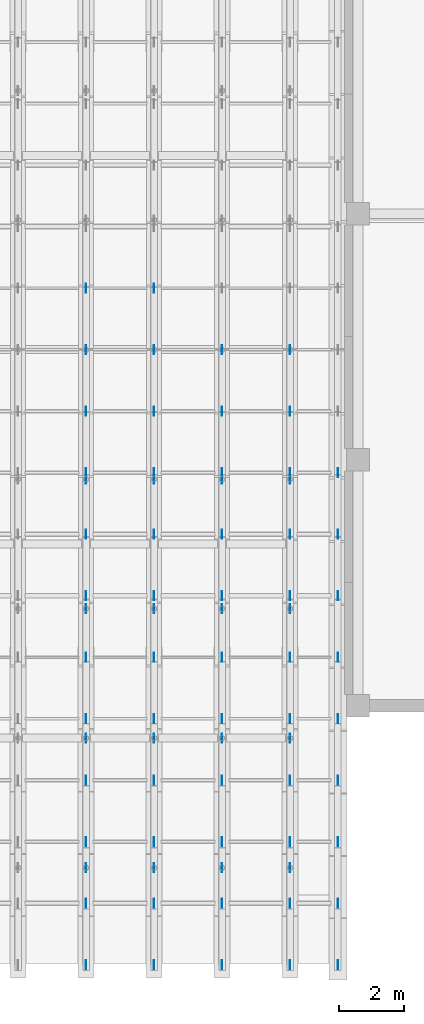
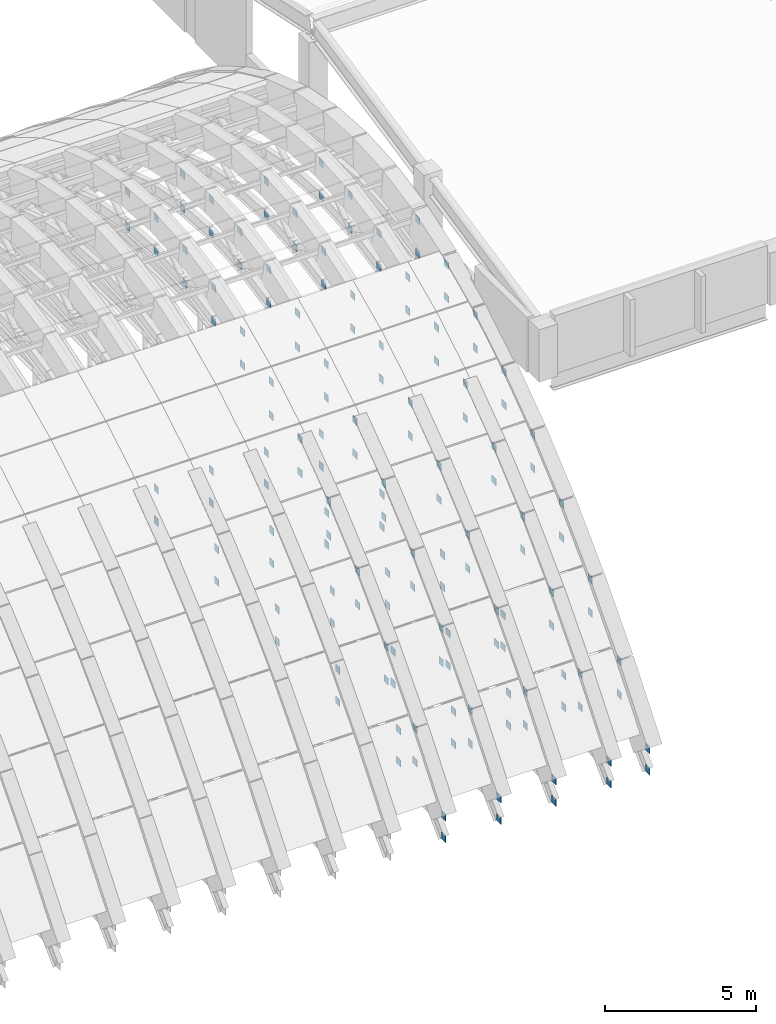
# One storey, part 62 of 67: 150 plates.
"""IFC4 building model written with IfcOpenShell, lengths in metres."""

from ifc_helpers import new_model, si_unit, direction, frame, origin, origin_2d, place, context, subcontext, project, spatial, rectangle, extrude, material, layer, layer_set, type_object, element, save


model = new_model("IFC4")

# Units and contexts
model_context = context("Model", 3, precision=1e-05, world=origin(), true_north=direction((0.0, 1.0)))
body_context = subcontext(model_context, "Body", "Model", "MODEL_VIEW")
ifc_project = project(units=[si_unit("LENGTHUNIT", "METRE"), si_unit("AREAUNIT", "SQUARE_METRE"), si_unit("VOLUMEUNIT", "CUBIC_METRE"), si_unit("PLANEANGLEUNIT", "RADIAN"), si_unit("MASSUNIT", "GRAM", prefix="KILO")], contexts=[model_context])

# Site, building, storey
site_placement = place(None, origin())
site = spatial("IfcSite", under=ifc_project, at=site_placement, CompositionType="ELEMENT")
building_placement = place(site_placement, origin())
building = spatial("IfcBuilding", under=site, at=building_placement, Name="Shengluoqiao Park Theatre", CompositionType="ELEMENT")
storey_placement = place(building_placement, frame((0.0, 0.0, 28.60009765625)))
storey = spatial("IfcBuildingStorey", under=building, at=storey_placement, Name="Roof", CompositionType="ELEMENT", Elevation=28.60009765625)

# Plates
ifc_material = material(Name="Steel Q355", Category="steel")
ifc_layer = layer(ifc_material, 0.013916015625, Name="Steel Q355")
ifc_layer_set = layer_set([ifc_layer], Name="Steel Q355")
plate_type = type_object("IfcPlateType", Name="STR-PLT-EC-280", PredefinedType="SHEET", material=ifc_layer_set)
for number, where, z_axis, x_axis, name in (
    (1, (78.0, 76.0, -10.16015625), (0.0, 0.0, 1.0), (1.0, 0.0, 0.0), "Arch Truss Node Gusset Plate R17-U00"),
    (2, (78.0, 76.0, -11.02001953125), (0.0, 0.0, 1.0), (1.0, 0.0, 0.0), "Arch Truss Node Gusset Plate R17-L00"),
    (3, (78.0, 77.89990234375, -7.76611328125), (0.0, 0.0, 1.0), (1.0, 0.0, 0.0), "Arch Truss Node Gusset Plate R17-U01"),
    (4, (78.0, 77.89990234375, -9.1259765625), (0.0, 0.0, 1.0), (1.0, 0.0, 0.0), "Arch Truss Node Gusset Plate R17-L01"),
    (5, (78.0, 79.800048828125, -5.6240234375), (0.0, 0.0, 1.0), (1.0, 0.0, 0.0), "Arch Truss Node Gusset Plate R17-U02"),
    (6, (78.0, 79.800048828125, -6.98388671875), (0.0, 0.0, 1.0), (1.0, 0.0, 0.0), "Arch Truss Node Gusset Plate R17-L02"),
    (7, (78.0, 81.699951171875, -3.73388671875), (0.0, 0.0, 1.0), (1.0, 0.0, 0.0), "Arch Truss Node Gusset Plate R17-U03"),
    (8, (78.0, 81.699951171875, -5.09423828125), (0.0, 0.0, 1.0), (1.0, 0.0, 0.0), "Arch Truss Node Gusset Plate R17-L03"),
    (9, (78.0, 83.60009765625, -2.09619140625), (0.0, 0.0, 1.0), (1.0, 0.0, 0.0), "Arch Truss Node Gusset Plate R17-U04"),
    (10, (78.0, 83.60009765625, -3.4560546875), (0.0, 0.0, 1.0), (1.0, 0.0, 0.0), "Arch Truss Node Gusset Plate R17-L04"),
    (11, (78.0, 85.5, -0.7099609375), (0.0, 0.0, 1.0), (1.0, 0.0, 0.0), "Arch Truss Node Gusset Plate R17-U05"),
    (12, (78.0, 85.5, -2.0703125), (0.0, 0.0, 1.0), (1.0, 0.0, 0.0), "Arch Truss Node Gusset Plate R17-L05"),
    (13, (78.0, 87.39990234375, 0.423828125), (0.0, 0.0, 1.0), (1.0, 0.0, 0.0), "Arch Truss Node Gusset Plate R17-U06"),
    (14, (78.0, 87.39990234375, -0.93603515625), (0.0, 0.0, 1.0), (1.0, 0.0, 0.0), "Arch Truss Node Gusset Plate R17-L06"),
    (15, (78.0, 89.300048828125, 1.3056640625), (0.0, 0.0, 1.0), (1.0, 0.0, 0.0), "Arch Truss Node Gusset Plate R17-U07"),
    (16, (78.0, 89.300048828125, -0.05419921875), (0.0, 0.0, 1.0), (1.0, 0.0, 0.0), "Arch Truss Node Gusset Plate R17-L07"),
    (17, (78.0, 91.199951171875, 1.93603515625), (0.0, 0.0, 1.0), (1.0, 0.0, 0.0), "Arch Truss Node Gusset Plate R17-U08"),
    (18, (78.0, 91.199951171875, 0.57568359375), (0.0, 0.0, 1.0), (1.0, 0.0, 0.0), "Arch Truss Node Gusset Plate R17-L08"),
    (19, (78.0, 93.10009765625, 2.31396484375), (0.0, 0.0, 1.0), (1.0, 0.0, 0.0), "Arch Truss Node Gusset Plate R17-U09"),
    (20, (78.0, 93.10009765625, 0.9541015625), (0.0, 0.0, 1.0), (1.0, 0.0, 0.0), "Arch Truss Node Gusset Plate R17-L09"),
    (21, (78.0, 95.0, 2.43994140625), (0.0, 0.0, 1.0), (1.0, 0.0, 0.0), "Arch Truss Node Gusset Plate R17-U10"),
    (22, (78.0, 95.0, 1.080078125), (0.0, 0.0, 1.0), (1.0, 0.0, 0.0), "Arch Truss Node Gusset Plate R17-L10"),
    (23, (78.0, 96.89990234375, 2.31396484375), (0.0, 0.0, 1.0), (1.0, 0.0, 0.0), "Arch Truss Node Gusset Plate R17-U11"),
    (24, (78.0, 96.89990234375, 0.9541015625), (0.0, 0.0, 1.0), (1.0, 0.0, 0.0), "Arch Truss Node Gusset Plate R17-L11"),
    (25, (80.10009765625, 76.0, -10.16015625), (0.0, 0.0, 1.0), (1.0, 0.0, 0.0), "Arch Truss Node Gusset Plate R18-U00"),
    (26, (80.10009765625, 76.0, -11.02001953125), (0.0, 0.0, 1.0), (1.0, 0.0, 0.0), "Arch Truss Node Gusset Plate R18-L00"),
    (27, (80.10009765625, 77.89990234375, -7.76611328125), (0.0, 0.0, 1.0), (1.0, 0.0, 0.0), "Arch Truss Node Gusset Plate R18-U01"),
    (28, (80.10009765625, 77.89990234375, -9.1259765625), (0.0, 0.0, 1.0), (1.0, 0.0, 0.0), "Arch Truss Node Gusset Plate R18-L01"),
    (29, (80.10009765625, 79.800048828125, -5.6240234375), (0.0, 0.0, 1.0), (1.0, 0.0, 0.0), "Arch Truss Node Gusset Plate R18-U02"),
    (30, (80.10009765625, 79.800048828125, -6.98388671875), (0.0, 0.0, 1.0), (1.0, 0.0, 0.0), "Arch Truss Node Gusset Plate R18-L02"),
    (31, (80.10009765625, 81.699951171875, -3.73388671875), (0.0, 0.0, 1.0), (1.0, 0.0, 0.0), "Arch Truss Node Gusset Plate R18-U03"),
    (32, (80.10009765625, 81.699951171875, -5.09423828125), (0.0, 0.0, 1.0), (1.0, 0.0, 0.0), "Arch Truss Node Gusset Plate R18-L03"),
    (33, (80.10009765625, 83.60009765625, -2.09619140625), (0.0, 0.0, 1.0), (1.0, 0.0, 0.0), "Arch Truss Node Gusset Plate R18-U04"),
    (34, (80.10009765625, 83.60009765625, -3.4560546875), (0.0, 0.0, 1.0), (1.0, 0.0, 0.0), "Arch Truss Node Gusset Plate R18-L04"),
    (35, (80.10009765625, 85.5, -0.7099609375), (0.0, 0.0, 1.0), (1.0, 0.0, 0.0), "Arch Truss Node Gusset Plate R18-U05"),
    (36, (80.10009765625, 85.5, -2.0703125), (0.0, 0.0, 1.0), (1.0, 0.0, 0.0), "Arch Truss Node Gusset Plate R18-L05"),
    (37, (80.10009765625, 87.39990234375, 0.423828125), (0.0, 0.0, 1.0), (1.0, 0.0, 0.0), "Arch Truss Node Gusset Plate R18-U06"),
    (38, (80.10009765625, 87.39990234375, -0.93603515625), (0.0, 0.0, 1.0), (1.0, 0.0, 0.0), "Arch Truss Node Gusset Plate R18-L06"),
    (39, (80.10009765625, 89.300048828125, 1.3056640625), (0.0, 0.0, 1.0), (1.0, 0.0, 0.0), "Arch Truss Node Gusset Plate R18-U07"),
    (40, (80.10009765625, 89.300048828125, -0.05419921875), (0.0, 0.0, 1.0), (1.0, 0.0, 0.0), "Arch Truss Node Gusset Plate R18-L07"),
    (41, (80.10009765625, 91.199951171875, 1.93603515625), (0.0, 0.0, 1.0), (1.0, 0.0, 0.0), "Arch Truss Node Gusset Plate R18-U08"),
    (42, (80.10009765625, 91.199951171875, 0.57568359375), (0.0, 0.0, 1.0), (1.0, 0.0, 0.0), "Arch Truss Node Gusset Plate R18-L08"),
    (43, (80.10009765625, 93.10009765625, 2.31396484375), (0.0, 0.0, 1.0), (1.0, 0.0, 0.0), "Arch Truss Node Gusset Plate R18-U09"),
    (44, (80.10009765625, 93.10009765625, 0.9541015625), (0.0, 0.0, 1.0), (1.0, 0.0, 0.0), "Arch Truss Node Gusset Plate R18-L09"),
    (45, (80.10009765625, 95.0, 2.43994140625), (0.0, 0.0, 1.0), (1.0, 0.0, 0.0), "Arch Truss Node Gusset Plate R18-U10"),
    (46, (80.10009765625, 95.0, 1.080078125), (0.0, 0.0, 1.0), (1.0, 0.0, 0.0), "Arch Truss Node Gusset Plate R18-L10"),
    (47, (80.10009765625, 96.89990234375, 2.31396484375), (0.0, 0.0, 1.0), (1.0, 0.0, 0.0), "Arch Truss Node Gusset Plate R18-U11"),
    (48, (80.10009765625, 96.89990234375, 0.9541015625), (0.0, 0.0, 1.0), (1.0, 0.0, 0.0), "Arch Truss Node Gusset Plate R18-L11"),
    (49, (82.199951171875, 76.0, -10.16015625), (0.0, 0.0, 1.0), (1.0, 0.0, 0.0), "Arch Truss Node Gusset Plate R19-U00"),
    (50, (82.199951171875, 76.0, -11.02001953125), (0.0, 0.0, 1.0), (1.0, 0.0, 0.0), "Arch Truss Node Gusset Plate R19-L00"),
    (51, (82.199951171875, 77.89990234375, -7.76611328125), (0.0, 0.0, 1.0), (1.0, 0.0, 0.0), "Arch Truss Node Gusset Plate R19-U01"),
    (52, (82.199951171875, 77.89990234375, -9.1259765625), (0.0, 0.0, 1.0), (1.0, 0.0, 0.0), "Arch Truss Node Gusset Plate R19-L01"),
    (53, (82.199951171875, 79.800048828125, -5.6240234375), (0.0, 0.0, 1.0), (1.0, 0.0, 0.0), "Arch Truss Node Gusset Plate R19-U02"),
    (54, (82.199951171875, 79.800048828125, -6.98388671875), (0.0, 0.0, 1.0), (1.0, 0.0, 0.0), "Arch Truss Node Gusset Plate R19-L02"),
    (55, (82.199951171875, 81.699951171875, -3.73388671875), (0.0, 0.0, 1.0), (1.0, 0.0, 0.0), "Arch Truss Node Gusset Plate R19-U03"),
    (56, (82.199951171875, 81.699951171875, -5.09423828125), (0.0, 0.0, 1.0), (1.0, 0.0, 0.0), "Arch Truss Node Gusset Plate R19-L03"),
    (57, (82.199951171875, 83.60009765625, -2.09619140625), (0.0, 0.0, 1.0), (1.0, 0.0, 0.0), "Arch Truss Node Gusset Plate R19-U04"),
    (58, (82.199951171875, 83.60009765625, -3.4560546875), (0.0, 0.0, 1.0), (1.0, 0.0, 0.0), "Arch Truss Node Gusset Plate R19-L04"),
    (59, (82.199951171875, 85.5, -0.7099609375), (0.0, 0.0, 1.0), (1.0, 0.0, 0.0), "Arch Truss Node Gusset Plate R19-U05"),
    (60, (82.199951171875, 85.5, -2.0703125), (0.0, 0.0, 1.0), (1.0, 0.0, 0.0), "Arch Truss Node Gusset Plate R19-L05"),
    (61, (82.199951171875, 87.39990234375, 0.423828125), (0.0, 0.0, 1.0), (1.0, 0.0, 0.0), "Arch Truss Node Gusset Plate R19-U06"),
    (62, (82.199951171875, 87.39990234375, -0.93603515625), (0.0, 0.0, 1.0), (1.0, 0.0, 0.0), "Arch Truss Node Gusset Plate R19-L06"),
    (63, (82.199951171875, 89.300048828125, 1.3056640625), (0.0, 0.0, 1.0), (1.0, 0.0, 0.0), "Arch Truss Node Gusset Plate R19-U07"),
    (64, (82.199951171875, 89.300048828125, -0.05419921875), (0.0, 0.0, 1.0), (1.0, 0.0, 0.0), "Arch Truss Node Gusset Plate R19-L07"),
    (65, (82.199951171875, 91.199951171875, 1.93603515625), (0.0, 0.0, 1.0), (1.0, 0.0, 0.0), "Arch Truss Node Gusset Plate R19-U08"),
    (66, (82.199951171875, 91.199951171875, 0.57568359375), (0.0, 0.0, 1.0), (1.0, 0.0, 0.0), "Arch Truss Node Gusset Plate R19-L08"),
    (67, (82.199951171875, 93.10009765625, 2.31396484375), (0.0, 0.0, 1.0), (1.0, 0.0, 0.0), "Arch Truss Node Gusset Plate R19-U09"),
    (68, (82.199951171875, 93.10009765625, 0.9541015625), (0.0, 0.0, 1.0), (1.0, 0.0, 0.0), "Arch Truss Node Gusset Plate R19-L09"),
    (69, (82.199951171875, 95.0, 2.43994140625), (0.0, 0.0, 1.0), (1.0, 0.0, 0.0), "Arch Truss Node Gusset Plate R19-U10"),
    (70, (82.199951171875, 95.0, 1.080078125), (0.0, 0.0, 1.0), (1.0, 0.0, 0.0), "Arch Truss Node Gusset Plate R19-L10"),
    (71, (84.300048828125, 76.0, -10.16015625), (0.0, 0.0, 1.0), (1.0, 0.0, 0.0), "Arch Truss Node Gusset Plate R20-U00"),
    (72, (84.300048828125, 76.0, -11.02001953125), (0.0, 0.0, 1.0), (1.0, 0.0, 0.0), "Arch Truss Node Gusset Plate R20-L00"),
    (73, (84.300048828125, 77.89990234375, -7.76611328125), (0.0, 0.0, 1.0), (1.0, 0.0, 0.0), "Arch Truss Node Gusset Plate R20-U01"),
    (74, (84.300048828125, 77.89990234375, -9.1259765625), (0.0, 0.0, 1.0), (1.0, 0.0, 0.0), "Arch Truss Node Gusset Plate R20-L01"),
    (75, (84.300048828125, 79.800048828125, -5.6240234375), (0.0, 0.0, 1.0), (1.0, 0.0, 0.0), "Arch Truss Node Gusset Plate R20-U02"),
    (76, (84.300048828125, 79.800048828125, -6.98388671875), (0.0, 0.0, 1.0), (1.0, 0.0, 0.0), "Arch Truss Node Gusset Plate R20-L02"),
    (77, (84.300048828125, 81.699951171875, -3.73388671875), (0.0, 0.0, 1.0), (1.0, 0.0, 0.0), "Arch Truss Node Gusset Plate R20-U03"),
    (78, (84.300048828125, 81.699951171875, -5.09423828125), (0.0, 0.0, 1.0), (1.0, 0.0, 0.0), "Arch Truss Node Gusset Plate R20-L03"),
    (79, (84.300048828125, 83.60009765625, -2.09619140625), (0.0, 0.0, 1.0), (1.0, 0.0, 0.0), "Arch Truss Node Gusset Plate R20-U04"),
    (80, (84.300048828125, 83.60009765625, -3.4560546875), (0.0, 0.0, 1.0), (1.0, 0.0, 0.0), "Arch Truss Node Gusset Plate R20-L04"),
    (81, (84.300048828125, 85.5, -0.7099609375), (0.0, 0.0, 1.0), (1.0, 0.0, 0.0), "Arch Truss Node Gusset Plate R20-U05"),
    (82, (84.300048828125, 85.5, -2.0703125), (0.0, 0.0, 1.0), (1.0, 0.0, 0.0), "Arch Truss Node Gusset Plate R20-L05"),
    (83, (84.300048828125, 87.39990234375, 0.423828125), (0.0, 0.0, 1.0), (1.0, 0.0, 0.0), "Arch Truss Node Gusset Plate R20-U06"),
    (84, (84.300048828125, 87.39990234375, -0.93603515625), (0.0, 0.0, 1.0), (1.0, 0.0, 0.0), "Arch Truss Node Gusset Plate R20-L06"),
    (85, (84.300048828125, 89.300048828125, 1.3056640625), (0.0, 0.0, 1.0), (1.0, 0.0, 0.0), "Arch Truss Node Gusset Plate R20-U07"),
    (86, (84.300048828125, 89.300048828125, -0.05419921875), (0.0, 0.0, 1.0), (1.0, 0.0, 0.0), "Arch Truss Node Gusset Plate R20-L07"),
    (87, (84.300048828125, 91.199951171875, 1.93603515625), (0.0, 0.0, 1.0), (1.0, 0.0, 0.0), "Arch Truss Node Gusset Plate R20-U08"),
    (88, (84.300048828125, 91.199951171875, 0.57568359375), (0.0, 0.0, 1.0), (1.0, 0.0, 0.0), "Arch Truss Node Gusset Plate R20-L08"),
    (89, (84.300048828125, 93.10009765625, 2.31396484375), (0.0, 0.0, 1.0), (1.0, 0.0, 0.0), "Arch Truss Node Gusset Plate R20-U09"),
    (90, (84.300048828125, 93.10009765625, 0.9541015625), (0.0, 0.0, 1.0), (1.0, 0.0, 0.0), "Arch Truss Node Gusset Plate R20-L09"),
    (91, (84.300048828125, 95.0, 2.43994140625), (0.0, 0.0, 1.0), (1.0, 0.0, 0.0), "Arch Truss Node Gusset Plate R20-U10"),
    (92, (84.300048828125, 95.0, 1.080078125), (0.0, 0.0, 1.0), (1.0, 0.0, 0.0), "Arch Truss Node Gusset Plate R20-L10"),
    (93, (85.780029296875, 76.0, -10.16015625), (0.0, 0.0, 1.0), (1.0, 0.0, 0.0), "Arch Truss Node Gusset Plate R21-U00"),
    (94, (85.780029296875, 76.0, -11.02001953125), (0.0, 0.0, 1.0), (1.0, 0.0, 0.0), "Arch Truss Node Gusset Plate R21-L00"),
    (95, (85.780029296875, 77.89990234375, -7.76611328125), (0.0, 0.0, 1.0), (1.0, 0.0, 0.0), "Arch Truss Node Gusset Plate R21-U01"),
    (96, (85.780029296875, 77.89990234375, -9.1259765625), (0.0, 0.0, 1.0), (1.0, 0.0, 0.0), "Arch Truss Node Gusset Plate R21-L01"),
    (97, (85.780029296875, 79.800048828125, -5.6240234375), (0.0, 0.0, 1.0), (1.0, 0.0, 0.0), "Arch Truss Node Gusset Plate R21-U02"),
    (98, (85.780029296875, 79.800048828125, -6.98388671875), (0.0, 0.0, 1.0), (1.0, 0.0, 0.0), "Arch Truss Node Gusset Plate R21-L02"),
    (99, (85.780029296875, 81.699951171875, -3.73388671875), (0.0, 0.0, 1.0), (1.0, 0.0, 0.0), "Arch Truss Node Gusset Plate R21-U03"),
    (100, (85.780029296875, 81.699951171875, -5.09423828125), (0.0, 0.0, 1.0), (1.0, 0.0, 0.0), "Arch Truss Node Gusset Plate R21-L03"),
    (101, (85.780029296875, 83.60009765625, -2.09619140625), (0.0, 0.0, 1.0), (1.0, 0.0, 0.0), "Arch Truss Node Gusset Plate R21-U04"),
    (102, (85.780029296875, 83.60009765625, -3.4560546875), (0.0, 0.0, 1.0), (1.0, 0.0, 0.0), "Arch Truss Node Gusset Plate R21-L04"),
    (103, (85.780029296875, 85.5, -0.7099609375), (0.0, 0.0, 1.0), (1.0, 0.0, 0.0), "Arch Truss Node Gusset Plate R21-U05"),
    (104, (85.780029296875, 85.5, -2.0703125), (0.0, 0.0, 1.0), (1.0, 0.0, 0.0), "Arch Truss Node Gusset Plate R21-L05"),
    (105, (85.780029296875, 87.39990234375, 0.423828125), (0.0, 0.0, 1.0), (1.0, 0.0, 0.0), "Arch Truss Node Gusset Plate R21-U06"),
    (106, (85.780029296875, 87.39990234375, -0.93603515625), (0.0, 0.0, 1.0), (1.0, 0.0, 0.0), "Arch Truss Node Gusset Plate R21-L06"),
    (107, (85.780029296875, 89.300048828125, 1.3056640625), (0.0, 0.0, 1.0), (1.0, 0.0, 0.0), "Arch Truss Node Gusset Plate R21-U07"),
    (108, (85.780029296875, 89.300048828125, -0.05419921875), (0.0, 0.0, 1.0), (1.0, 0.0, 0.0), "Arch Truss Node Gusset Plate R21-L07"),
    (109, (85.780029296875, 91.199951171875, 1.93603515625), (0.0, 0.0, 1.0), (1.0, 0.0, 0.0), "Arch Truss Node Gusset Plate R21-U08"),
    (110, (85.780029296875, 91.199951171875, 0.57568359375), (0.0, 0.0, 1.0), (1.0, 0.0, 0.0), "Arch Truss Node Gusset Plate R21-L08"),
    (111, (78.0, 79.0, -9.7900390625), (0.0, 0.0, 1.0), (1.0, 0.0, 0.0), "Tie Truss Node Gusset Plate R17-B00"),
    (112, (78.0, 79.0, -8.490234375), (0.0, 0.0, 1.0), (1.0, 0.0, 0.0), "Tie Truss Node Gusset Plate R17-T00"),
    (113, (78.0, 83.0, -9.7900390625), (0.0, 0.0, 1.0), (1.0, 0.0, 0.0), "Tie Truss Node Gusset Plate R17-B01"),
    (114, (78.0, 83.0, -8.490234375), (0.0, 0.0, 1.0), (1.0, 0.0, 0.0), "Tie Truss Node Gusset Plate R17-T01"),
    (115, (78.0, 87.0, -9.7900390625), (0.0, 0.0, 1.0), (1.0, 0.0, 0.0), "Tie Truss Node Gusset Plate R17-B02"),
    (116, (78.0, 87.0, -8.490234375), (0.0, 0.0, 1.0), (1.0, 0.0, 0.0), "Tie Truss Node Gusset Plate R17-T02"),
    (117, (78.0, 91.0, -9.7900390625), (0.0, 0.0, 1.0), (1.0, 0.0, 0.0), "Tie Truss Node Gusset Plate R17-B03"),
    (118, (78.0, 91.0, -8.490234375), (0.0, 0.0, 1.0), (1.0, 0.0, 0.0), "Tie Truss Node Gusset Plate R17-T03"),
    (119, (78.0, 95.0, -9.7900390625), (0.0, 0.0, 1.0), (1.0, 0.0, 0.0), "Tie Truss Node Gusset Plate R17-B04"),
    (120, (78.0, 95.0, -8.490234375), (0.0, 0.0, 1.0), (1.0, 0.0, 0.0), "Tie Truss Node Gusset Plate R17-T04"),
    (121, (80.10009765625, 79.0, -9.7900390625), (0.0, 0.0, 1.0), (1.0, 0.0, 0.0), "Tie Truss Node Gusset Plate R18-B00"),
    (122, (80.10009765625, 79.0, -8.490234375), (0.0, 0.0, 1.0), (1.0, 0.0, 0.0), "Tie Truss Node Gusset Plate R18-T00"),
    (123, (80.10009765625, 83.0, -9.7900390625), (0.0, 0.0, 1.0), (1.0, 0.0, 0.0), "Tie Truss Node Gusset Plate R18-B01"),
    (124, (80.10009765625, 83.0, -8.490234375), (0.0, 0.0, 1.0), (1.0, 0.0, 0.0), "Tie Truss Node Gusset Plate R18-T01"),
    (125, (80.10009765625, 87.0, -9.7900390625), (0.0, 0.0, 1.0), (1.0, 0.0, 0.0), "Tie Truss Node Gusset Plate R18-B02"),
    (126, (80.10009765625, 87.0, -8.490234375), (0.0, 0.0, 1.0), (1.0, 0.0, 0.0), "Tie Truss Node Gusset Plate R18-T02"),
    (127, (80.10009765625, 91.0, -9.7900390625), (0.0, 0.0, 1.0), (1.0, 0.0, 0.0), "Tie Truss Node Gusset Plate R18-B03"),
    (128, (80.10009765625, 91.0, -8.490234375), (0.0, 0.0, 1.0), (1.0, 0.0, 0.0), "Tie Truss Node Gusset Plate R18-T03"),
    (129, (80.10009765625, 95.0, -9.7900390625), (0.0, 0.0, 1.0), (1.0, 0.0, 0.0), "Tie Truss Node Gusset Plate R18-B04"),
    (130, (80.10009765625, 95.0, -8.490234375), (0.0, 0.0, 1.0), (1.0, 0.0, 0.0), "Tie Truss Node Gusset Plate R18-T04"),
    (131, (82.199951171875, 79.0, -9.7900390625), (0.0, 0.0, 1.0), (1.0, 0.0, 0.0), "Tie Truss Node Gusset Plate R19-B00"),
    (132, (82.199951171875, 79.0, -8.490234375), (0.0, 0.0, 1.0), (1.0, 0.0, 0.0), "Tie Truss Node Gusset Plate R19-T00"),
    (133, (82.199951171875, 83.0, -9.7900390625), (0.0, 0.0, 1.0), (1.0, 0.0, 0.0), "Tie Truss Node Gusset Plate R19-B01"),
    (134, (82.199951171875, 83.0, -8.490234375), (0.0, 0.0, 1.0), (1.0, 0.0, 0.0), "Tie Truss Node Gusset Plate R19-T01"),
    (135, (82.199951171875, 87.0, -9.7900390625), (0.0, 0.0, 1.0), (1.0, 0.0, 0.0), "Tie Truss Node Gusset Plate R19-B02"),
    (136, (82.199951171875, 87.0, -8.490234375), (0.0, 0.0, 1.0), (1.0, 0.0, 0.0), "Tie Truss Node Gusset Plate R19-T02"),
    (137, (82.199951171875, 91.0, -9.7900390625), (0.0, 0.0, 1.0), (1.0, 0.0, 0.0), "Tie Truss Node Gusset Plate R19-B03"),
    (138, (82.199951171875, 91.0, -8.490234375), (0.0, 0.0, 1.0), (1.0, 0.0, 0.0), "Tie Truss Node Gusset Plate R19-T03"),
    (139, (82.199951171875, 95.0, -9.7900390625), (0.0, 0.0, 1.0), (1.0, 0.0, 0.0), "Tie Truss Node Gusset Plate R19-B04"),
    (140, (82.199951171875, 95.0, -8.490234375), (0.0, 0.0, 1.0), (1.0, 0.0, 0.0), "Tie Truss Node Gusset Plate R19-T04"),
    (141, (84.300048828125, 79.0, -9.7900390625), (0.0, 0.0, 1.0), (1.0, 0.0, 0.0), "Tie Truss Node Gusset Plate R20-B00"),
    (142, (84.300048828125, 79.0, -8.490234375), (0.0, 0.0, 1.0), (1.0, 0.0, 0.0), "Tie Truss Node Gusset Plate R20-T00"),
    (143, (84.300048828125, 83.0, -9.7900390625), (0.0, 0.0, 1.0), (1.0, 0.0, 0.0), "Tie Truss Node Gusset Plate R20-B01"),
    (144, (84.300048828125, 83.0, -8.490234375), (0.0, 0.0, 1.0), (1.0, 0.0, 0.0), "Tie Truss Node Gusset Plate R20-T01"),
    (145, (84.300048828125, 87.0, -9.7900390625), (0.0, 0.0, 1.0), (1.0, 0.0, 0.0), "Tie Truss Node Gusset Plate R20-B02"),
    (146, (84.300048828125, 87.0, -8.490234375), (0.0, 0.0, 1.0), (1.0, 0.0, 0.0), "Tie Truss Node Gusset Plate R20-T02"),
    (147, (84.300048828125, 91.0, -9.7900390625), (0.0, 0.0, 1.0), (1.0, 0.0, 0.0), "Tie Truss Node Gusset Plate R20-B03"),
    (148, (84.300048828125, 91.0, -8.490234375), (0.0, 0.0, 1.0), (1.0, 0.0, 0.0), "Tie Truss Node Gusset Plate R20-T03"),
    (149, (84.300048828125, 95.0, -9.7900390625), (0.0, 0.0, 1.0), (1.0, 0.0, 0.0), "Tie Truss Node Gusset Plate R20-B04"),
    (150, (84.300048828125, 95.0, -8.490234375), (0.0, 0.0, 1.0), (1.0, 0.0, 0.0), "Tie Truss Node Gusset Plate R20-T04"),
):
    element("IfcPlate", number, at=place(storey_placement, frame(where, z_axis=z_axis, x_axis=x_axis)), inside=storey, type_object=plate_type, Name=name, PredefinedType="SHEET", context=body_context, shape_type="SweptSolid", body=[
        extrude(rectangle(XDim=0.01806640625, YDim=0.280029296875, at=origin_2d()), origin(), (0.0, 0.0, 1.0), 0.280029296875),
    ])

save(model, "model.ifc")
